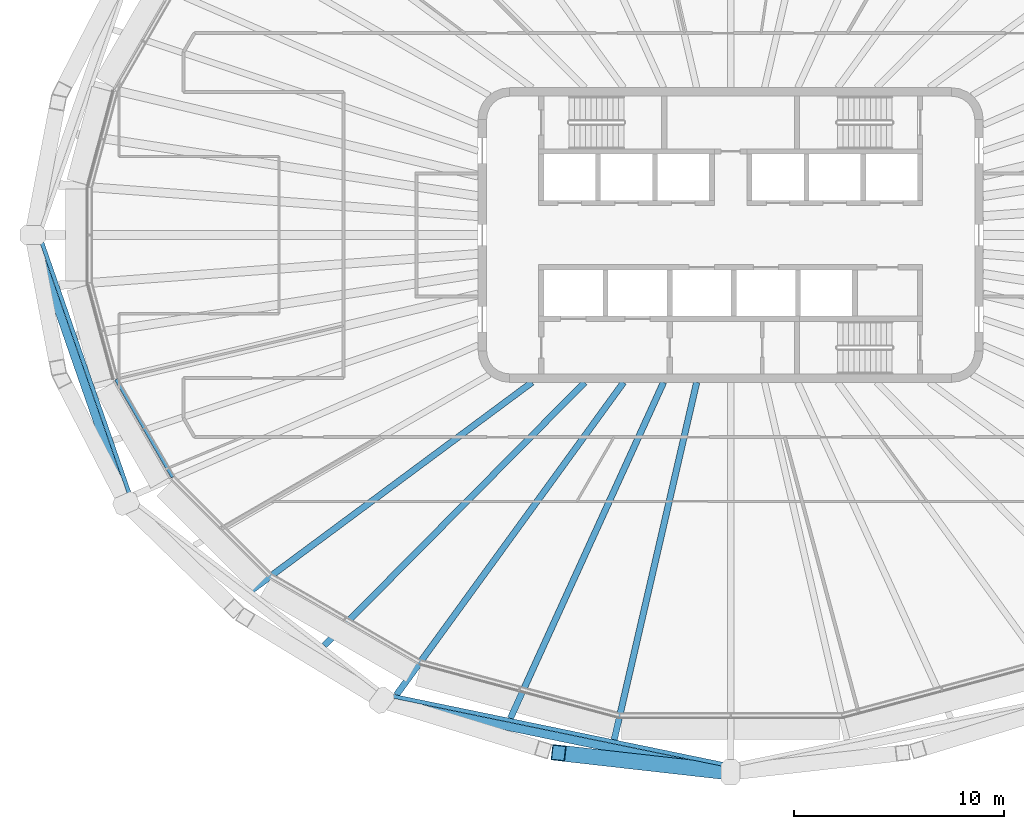
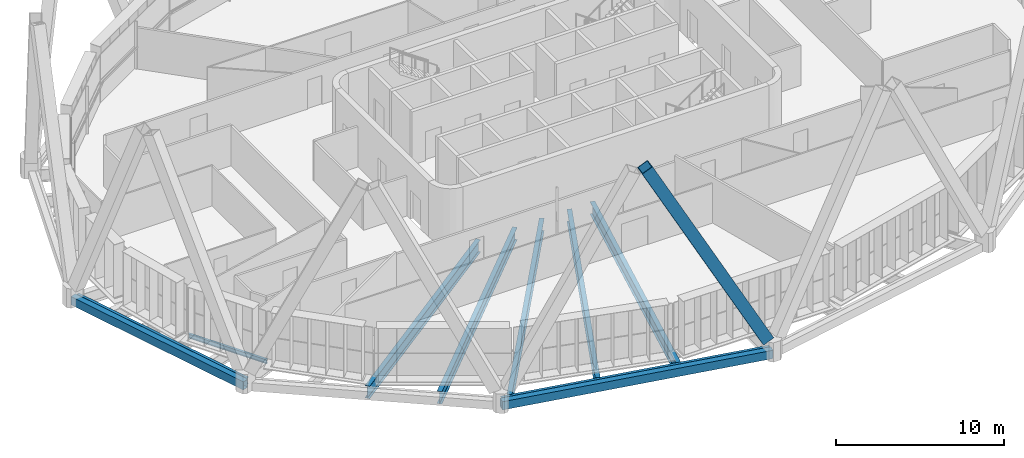
# One storey, part 2 of 23: 10 beams, 1 member.
"""IFC4 building model written with IfcOpenShell, lengths in metres."""

from ifc_helpers import new_model, si_unit, direction, frame, origin, origin_2d, place, context, subcontext, project, spatial, hollow_rectangle, i_section, extrude, material, material_profile, profile_set, type_object, element, save


model = new_model("IFC4")

# Units and contexts
model_context = context("Model", 3, precision=1e-05, world=origin(), true_north=direction((0.0, 1.0)))
body_context = subcontext(model_context, "Body", "Model", "MODEL_VIEW")
ifc_project = project(units=[si_unit("LENGTHUNIT", "METRE"), si_unit("AREAUNIT", "SQUARE_METRE"), si_unit("VOLUMEUNIT", "CUBIC_METRE"), si_unit("PLANEANGLEUNIT", "RADIAN"), si_unit("MASSUNIT", "GRAM", prefix="KILO")], contexts=[model_context])

# Site, building, storey
site_placement = place(None, origin())
site = spatial("IfcSite", under=ifc_project, at=site_placement, CompositionType="ELEMENT")
building_placement = place(site_placement, origin())
building = spatial("IfcBuilding", under=site, at=building_placement, Name="Sahrelin Media Tower", CompositionType="ELEMENT")
storey_placement = place(building_placement, frame((0.0, 0.0, 217.60009765625)))
storey = spatial("IfcBuildingStorey", under=building, at=storey_placement, Name="L46", CompositionType="ELEMENT", Elevation=217.60009765625)

# Member
ifc_material_1 = material(Name="Steel S460", Category="steel")
ifc_material_profile_1 = material_profile(ifc_material_1, hollow_rectangle(XDim=0.75, YDim=0.75, WallThickness=0.0400390625, at=origin_2d()), Name="Diagrid diagonal DG6")
ifc_profile_set_1 = profile_set([ifc_material_profile_1], Name="Steel S460")
member_type = type_object("IfcMemberType", Name="Diagrid diagonal DG6", PredefinedType="BRACE", material=ifc_profile_set_1)
member_placement = place(storey_placement, frame((-0.374267578125, -25.489990234375, 0.699951171875), z_axis=(-0.47073958904, 0.053104550542, 0.880672553235), x_axis=(-0.112099834175, -0.993696949365, 0.0)))
element("IfcMember", 1, at=member_placement, inside=storey, type_object=member_type, Name="Diagrid diagonal D10-17", PredefinedType="BRACE", context=body_context, shape_type="SweptSolid", body=[
    extrude(hollow_rectangle(XDim=0.75, YDim=0.75, WallThickness=0.0400390625, at=origin_2d()), origin(), (0.0, 0.0, 1.0), 16.578125),
])

# Beams
ifc_material_profile_2 = material_profile(ifc_material_1, hollow_rectangle(XDim=0.39990234375, YDim=0.60009765625, WallThickness=0.030029296875, at=origin_2d()), Name="Diagrid ring beam RB1")
ifc_profile_set_2 = profile_set([ifc_material_profile_2], Name="Steel S460")
beam_type_1 = type_object("IfcBeamType", Name="Diagrid ring beam RB1", PredefinedType="BEAM", material=ifc_profile_set_2)
beam_1_placement = place(storey_placement, frame((-33.171875, 0.0, -0.4501953125), z_axis=(0.32878120153, -0.944406121073, 0.0), x_axis=(0.944406121073, 0.32878120153, 0.0)))
element("IfcBeam", 2, at=beam_1_placement, inside=storey, type_object=beam_type_1, Name="Diagrid ring beam RB10-06", PredefinedType="BEAM", context=body_context, shape_type="SweptSolid", body=[
    extrude(hollow_rectangle(XDim=0.39990234375, YDim=0.60009765625, WallThickness=0.030029296875, at=origin_2d()), origin(), (0.0, 0.0, 1.0), 13.517578125),
])
beam_2_placement = place(storey_placement, frame((-16.5859375, -22.111572265625, -0.4501953125), z_axis=(0.979388146689, -0.201987272186, 0.0), x_axis=(0.201987272186, 0.979388146689, 0.0)))
element("IfcBeam", 3, at=beam_2_placement, inside=storey, type_object=beam_type_1, Name="Diagrid ring beam RB10-08", PredefinedType="BEAM", context=body_context, shape_type="SweptSolid", body=[
    extrude(hollow_rectangle(XDim=0.39990234375, YDim=0.60009765625, WallThickness=0.030029296875, at=origin_2d()), origin(), (0.0, 0.0, 1.0), 16.93505859375),
])
ifc_material_2 = material(Name="Steel S355", Category="steel")
ifc_material_profile_3 = material_profile(ifc_material_2, i_section(OverallWidth=0.1650390625, OverallDepth=0.303466796875, WebThickness=0.006103515625, FlangeThickness=0.01025390625, FilletRadius=0.0087890625, at=origin_2d()), Name="UB 305x165x40")
ifc_profile_set_3 = profile_set([ifc_material_profile_3], Name="Steel S355")
beam_type_2 = type_object("IfcBeamType", Name="Edge beam EB2", PredefinedType="BEAM", material=ifc_profile_set_3)
beam_3_placement = place(storey_placement, frame((-26.513916015625, -11.506103515625, -0.3017578125), z_axis=(-0.500007141444, 0.86602128063, 0.0), x_axis=(-0.86602128063, -0.500007141444, 0.0)))
element("IfcBeam", 4, at=beam_3_placement, inside=storey, type_object=beam_type_2, Name="Edge beam L46-11", PredefinedType="BEAM", context=body_context, shape_type="SweptSolid", body=[
    extrude(i_section(OverallWidth=0.1650390625, OverallDepth=0.303466796875, WebThickness=0.006103515625, FlangeThickness=0.01025390625, FilletRadius=0.0087890625, at=origin_2d()), origin(), (0.0, 0.0, 1.0), 5.36962890625),
])
ifc_material_profile_4 = material_profile(ifc_material_2, i_section(OverallWidth=0.30322265625, OverallDepth=0.903076171875, WebThickness=0.01513671875, FlangeThickness=0.020263671875, FilletRadius=0.01904296875, at=origin_2d()), Name="UB 914x305x201")
ifc_profile_set_4 = profile_set([ifc_material_profile_4], Name="Steel S355")
beam_type_3 = type_object("IfcBeamType", Name="Radial primary beam PB11", PredefinedType="BEAM", material=ifc_profile_set_4)
beam_4_placement = place(storey_placement, frame((-9.43896484375, -7.0, -0.6015625), z_axis=(-0.803225834656, -0.595674624725, 0.0), x_axis=(0.595674624725, -0.803225834656, 0.0)))
element("IfcBeam", 5, at=beam_4_placement, inside=storey, type_object=beam_type_3, Name="Radial beam L46-16", PredefinedType="BEAM", context=body_context, shape_type="SweptSolid", body=[
    extrude(i_section(OverallWidth=0.30322265625, OverallDepth=0.903076171875, WebThickness=0.01513671875, FlangeThickness=0.020263671875, FilletRadius=0.01904296875, at=origin_2d()), origin(), (0.0, 0.0, 1.0), 16.5693359375),
])
beam_5_placement = place(storey_placement, frame((-5.08740234375, -7.0, -0.6015625), z_axis=(-0.587903651561, -0.808930959033, 0.0), x_axis=(0.808930959033, -0.587903651561, 0.0)))
element("IfcBeam", 6, at=beam_5_placement, inside=storey, type_object=beam_type_3, Name="Radial beam L46-17", PredefinedType="BEAM", context=body_context, shape_type="SweptSolid", body=[
    extrude(i_section(OverallWidth=0.30322265625, OverallDepth=0.903076171875, WebThickness=0.01513671875, FlangeThickness=0.020263671875, FilletRadius=0.01904296875, at=origin_2d()), origin(), (0.0, 0.0, 1.0), 18.361328125),
])
beam_6_placement = place(storey_placement, frame((-1.614990234375, -7.0, -0.6015625), z_axis=(-0.224837005551, -0.974396387994, 0.0), x_axis=(0.974396387994, -0.224837005551, 0.0)))
element("IfcBeam", 7, at=beam_6_placement, inside=storey, type_object=beam_type_3, Name="Radial beam L46-18", PredefinedType="BEAM", context=body_context, shape_type="SweptSolid", body=[
    extrude(i_section(OverallWidth=0.30322265625, OverallDepth=0.903076171875, WebThickness=0.01513671875, FlangeThickness=0.020263671875, FilletRadius=0.01904296875, at=origin_2d()), origin(), (0.0, 0.0, 1.0), 17.433349609375),
])
ifc_material_profile_5 = material_profile(ifc_material_2, i_section(OverallWidth=0.30322265625, OverallDepth=0.903076171875, WebThickness=0.01513671875, FlangeThickness=0.020263671875, FilletRadius=0.01904296875, at=origin_2d()), Name="UB 914x305x201")
ifc_profile_set_5 = profile_set([ifc_material_profile_5], Name="Steel S355")
beam_type_4 = type_object("IfcBeamType", Name="Radial secondary beam SB11", PredefinedType="BEAM", material=ifc_profile_set_5)
beam_7_placement = place(storey_placement, frame((-6.932861328125, -7.0, -0.6015625), z_axis=(-0.703686903697, -0.710510198073, 0.0), x_axis=(0.710510198073, -0.703686903697, 0.0)))
element("IfcBeam", 8, at=beam_7_placement, inside=storey, type_object=beam_type_4, Name="Secondary beam L46-16", PredefinedType="BEAM", context=body_context, shape_type="SweptSolid", body=[
    extrude(i_section(OverallWidth=0.30322265625, OverallDepth=0.903076171875, WebThickness=0.01513671875, FlangeThickness=0.020263671875, FilletRadius=0.01904296875, at=origin_2d()), origin(), (0.0, 0.0, 1.0), 17.60400390625),
])
beam_8_placement = place(storey_placement, frame((-3.190185546875, -7.0, -0.6015625), z_axis=(-0.414698885824, -0.909958699116, 0.0), x_axis=(0.909958699116, -0.414698885824, 0.0)))
element("IfcBeam", 9, at=beam_8_placement, inside=storey, type_object=beam_type_4, Name="Secondary beam L46-17", PredefinedType="BEAM", context=body_context, shape_type="SweptSolid", body=[
    extrude(i_section(OverallWidth=0.30322265625, OverallDepth=0.903076171875, WebThickness=0.01513671875, FlangeThickness=0.020263671875, FilletRadius=0.01904296875, at=origin_2d()), origin(), (0.0, 0.0, 1.0), 17.549560546875),
])
ifc_material_profile_6 = material_profile(ifc_material_2, i_section(OverallWidth=0.1904296875, OverallDepth=0.45703125, WebThickness=0.009033203125, FlangeThickness=0.014404296875, FilletRadius=0.01025390625, at=origin_2d()), Name="UB 457x191x74")
ifc_profile_set_6 = profile_set([ifc_material_profile_6], Name="Steel S355")
beam_type_5 = type_object("IfcBeamType", Name="Tie chord TC5", PredefinedType="BEAM", material=ifc_profile_set_6)
beam_9_placement = place(storey_placement, frame((0.0, -25.2255859375, -0.378662109375), z_axis=(-0.979386763323, 0.201993979684, 0.0), x_axis=(-0.201993979684, -0.979386763323, 0.0)))
element("IfcBeam", 10, at=beam_9_placement, inside=storey, type_object=beam_type_5, Name="Tie chord L46-04", PredefinedType="BEAM", context=body_context, shape_type="SweptSolid", body=[
    extrude(i_section(OverallWidth=0.1904296875, OverallDepth=0.45703125, WebThickness=0.009033203125, FlangeThickness=0.014404296875, FilletRadius=0.01025390625, at=origin_2d()), origin(), (0.0, 0.0, 1.0), 16.803955078125),
])
beam_10_placement = place(storey_placement, frame((-28.473388671875, -12.582763671875, -0.378662109375), z_axis=(-0.328788550839, 0.944403562486, 0.0), x_axis=(-0.944403562486, -0.328788550839, 0.0)))
element("IfcBeam", 11, at=beam_10_placement, inside=storey, type_object=beam_type_5, Name="Tie chord L46-06", PredefinedType="BEAM", context=body_context, shape_type="SweptSolid", body=[
    extrude(i_section(OverallWidth=0.1904296875, OverallDepth=0.45703125, WebThickness=0.009033203125, FlangeThickness=0.014404296875, FilletRadius=0.01025390625, at=origin_2d()), origin(), (0.0, 0.0, 1.0), 13.323486328125),
])

save(model, "model.ifc")
